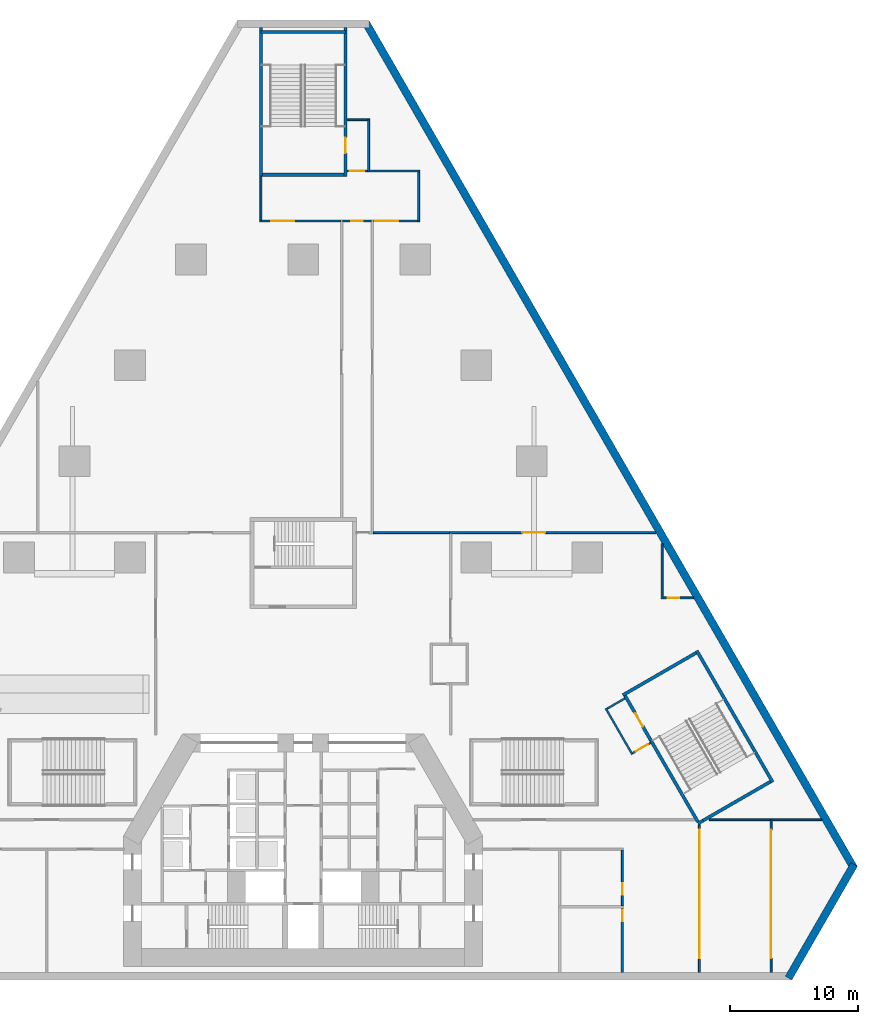
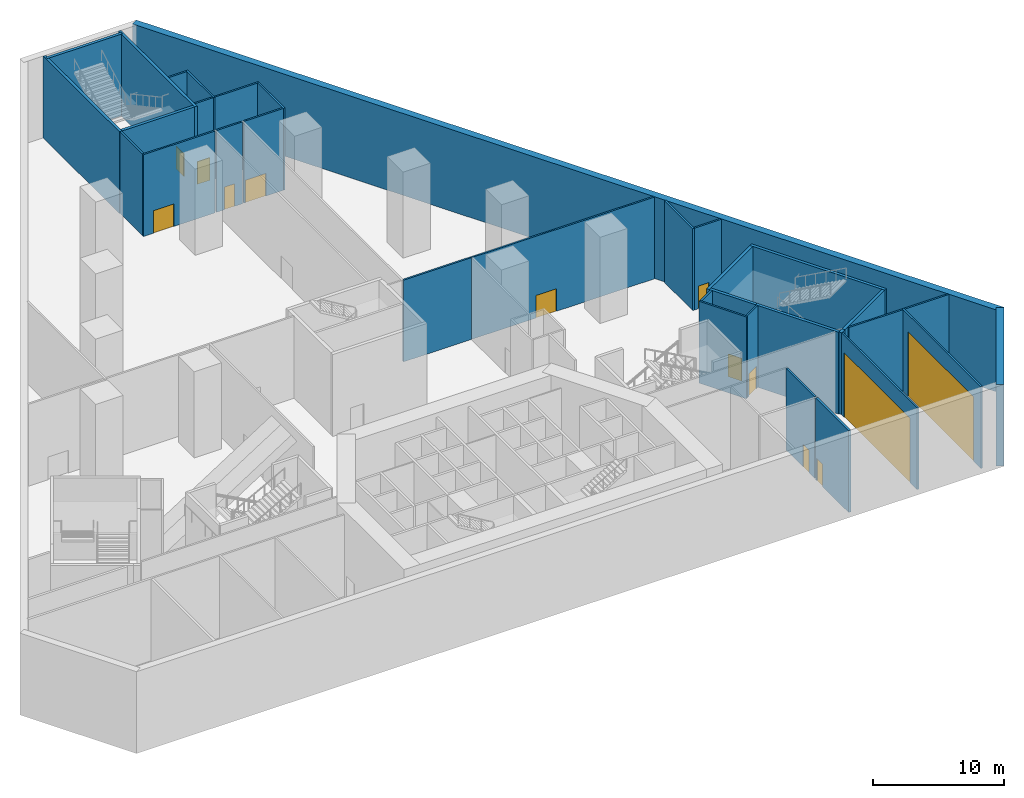
# One storey, part 6 of 11: 34 walls, 13 doors, 13 openings.
"""IFC4 building model written with IfcOpenShell, lengths in metres."""

from ifc_helpers import new_model, si_unit, direction, frame, frame_2d, origin, place, context, subcontext, project, spatial, rectangle, extrude, material, layer, layer_set, type_object, element, fill, save


model = new_model("IFC4")

# Units and contexts
model_context = context("Model", 3, precision=1e-05, world=origin(), true_north=direction((0.0, 1.0)))
body_context = subcontext(model_context, "Body", "Model", "MODEL_VIEW")
ifc_project = project(units=[si_unit("LENGTHUNIT", "METRE"), si_unit("AREAUNIT", "SQUARE_METRE"), si_unit("VOLUMEUNIT", "CUBIC_METRE"), si_unit("PLANEANGLEUNIT", "RADIAN"), si_unit("MASSUNIT", "GRAM", prefix="KILO")], contexts=[model_context])

# Site, building, storey
site_placement = place(None, origin())
site = spatial("IfcSite", under=ifc_project, at=site_placement, CompositionType="ELEMENT")
building_placement = place(site_placement, origin())
building = spatial("IfcBuilding", under=site, at=building_placement, Name="Fogline Exchange Tower", CompositionType="ELEMENT")
storey_placement = place(building_placement, frame((0.0, 0.0, -8.0)))
storey = spatial("IfcBuildingStorey", under=building, at=storey_placement, Name="B1", CompositionType="ELEMENT", Elevation=-8.0)

# Wall, opening, door
ifc_material_1 = material(Name="Plasterboard on steel stud", Category="steel")
ifc_layer_1 = layer(ifc_material_1, 0.14990234375)
ifc_layer_set_1 = layer_set([ifc_layer_1], Name="PP1")
wall_type_1 = type_object("IfcWallType", Name="PP1", PredefinedType="PARTITIONING", material=ifc_layer_set_1)
wall_1_placement = place(storey_placement, frame((24.89990234375, 5.60009765625, 0.0), z_axis=(0.0, 0.0, 1.0), x_axis=(0.0, 1.0, 0.0)))
wall_1 = element("IfcWall", 1, at=wall_1_placement, inside=storey, type_object=wall_type_1, Name="PP1 partition", PredefinedType="PARTITIONING", context=body_context, shape_type="SweptSolid", body=[
    extrude(rectangle(XDim=4.324951171875, YDim=0.14990234375, at=frame_2d((2.16259765625, 0.0))), origin(), (0.0, 0.0, 1.0), 7.60009765625),
])
opening_1_placement = place(wall_1_placement, frame((0.85009765625, 0.0, 0.0)))
opening_1 = element("IfcOpeningElement", 2, at=opening_1_placement, cuts=wall_1, Name="Opening B1-D011", PredefinedType="OPENING", context=body_context, shape_type="SweptSolid", body=[
    extrude(rectangle(XDim=0.89990234375, YDim=2.10009765625, at=frame_2d((0.449951171875, 1.050048828125))), frame((0.0, 0.0849609375, 0.0), z_axis=(0.0, -1.0, 0.0), x_axis=(1.0, 0.0, 0.0)), (0.0, 0.0, 1.0), 0.169921875),
])
ifc_material_2 = material(Name="Timber", Category="wood")
door_type_1 = type_object("IfcDoorType", Name="PD2", OperationType="SINGLE_SWING_LEFT", PredefinedType="DOOR", material=ifc_material_2)
door_1_placement = place(opening_1_placement, origin())
door_1 = element("IfcDoor", 3, at=door_1_placement, inside=storey, type_object=door_type_1, Name="B1-D011", OperationType="SINGLE_SWING_LEFT", OverallHeight=2.10009765625, OverallWidth=0.89990234375, PredefinedType="DOOR", context=body_context, shape_type="SweptSolid", body=[
    extrude(rectangle(XDim=0.89990234375, YDim=2.10009765625, at=frame_2d((0.449951171875, 1.050048828125))), frame((0.0, 0.02490234375, 0.0), z_axis=(0.0, -1.0, 0.0), x_axis=(1.0, 0.0, 0.0)), (0.0, 0.0, 1.0), 0.050048828125),
])
fill(opening_1, door_1)

wall_2_placement = place(storey_placement, frame((30.89990234375, 11.8974609375, 0.0), z_axis=(0.0, 0.0, 1.0), x_axis=(0.0, -1.0, 0.0)))
wall_2 = element("IfcWall", 4, at=wall_2_placement, inside=storey, type_object=wall_type_1, Name="PP1 partition", PredefinedType="PARTITIONING", context=body_context, shape_type="SweptSolid", body=[
    extrude(rectangle(XDim=11.49755859375, YDim=0.14990234375, at=frame_2d((5.748779296875, 0.0))), origin(), (0.0, 0.0, 1.0), 7.60009765625),
])
opening_2_placement = place(wall_2_placement, frame((0.3974609375, 0.0, 0.0)))
opening_2 = element("IfcOpeningElement", 5, at=opening_2_placement, cuts=wall_2, Name="Opening B1-D018", PredefinedType="OPENING", context=body_context, shape_type="SweptSolid", body=[
    extrude(rectangle(XDim=10.0, YDim=6.0, at=frame_2d((5.0, 3.0))), frame((0.0, 0.0849609375, 0.0), z_axis=(0.0, -1.0, 0.0), x_axis=(1.0, 0.0, 0.0)), (0.0, 0.0, 1.0), 0.169921875),
])
ifc_material_3 = material(Name="Steel Q235B", Category="steel")
door_type_2 = type_object("IfcDoorType", Name="PD10", OperationType="ROLLINGUP", PredefinedType="GATE", material=ifc_material_3)
door_2_placement = place(opening_2_placement, origin())
door_2 = element("IfcDoor", 6, at=door_2_placement, inside=storey, type_object=door_type_2, Name="B1-D018", OperationType="ROLLINGUP", OverallHeight=6.0, OverallWidth=10.0, PredefinedType="GATE", context=body_context, shape_type="SweptSolid", body=[
    extrude(rectangle(XDim=10.0, YDim=6.0, at=frame_2d((5.0, 3.0))), frame((0.0, 0.02490234375, 0.0), z_axis=(0.0, -1.0, 0.0), x_axis=(1.0, 0.0, 0.0)), (0.0, 0.0, 1.0), 0.050048828125),
])
fill(opening_2, door_2)

# Walls
wall_3_placement = place(storey_placement, frame((31.68408203125, 12.300048828125, 0.0), z_axis=(0.0, 0.0, 1.0), x_axis=(1.0, 0.0, 0.0)))
element("IfcWall", 7, at=wall_3_placement, inside=storey, type_object=wall_type_1, Name="PP1 partition", PredefinedType="PARTITIONING", context=body_context, shape_type="SweptSolid", body=[
    extrude(rectangle(XDim=4.740966796875, YDim=0.14990234375, at=frame_2d((2.37060546875, 0.0))), origin(), (0.0, 0.0, 1.0), 7.60009765625),
])
wall_4_placement = place(storey_placement, frame((36.574951171875, 12.300048828125, 0.0), z_axis=(0.0, 0.0, 1.0), x_axis=(1.0, 0.0, 0.0)))
element("IfcWall", 8, at=wall_4_placement, inside=storey, type_object=wall_type_1, Name="PP1 partition", PredefinedType="PARTITIONING", context=body_context, shape_type="SweptSolid", body=[
    extrude(rectangle(XDim=3.86181640625, YDim=0.14990234375, at=frame_2d((1.930908203125, 0.0))), origin(), (0.0, 0.0, 1.0), 7.60009765625),
])

# Wall, opening, door
wall_5_placement = place(storey_placement, frame((36.5, 12.375, 0.0), z_axis=(0.0, 0.0, 1.0), x_axis=(0.0, -1.0, 0.0)))
wall_5 = element("IfcWall", 9, at=wall_5_placement, inside=storey, type_object=wall_type_1, Name="PP1 partition", PredefinedType="PARTITIONING", context=body_context, shape_type="SweptSolid", body=[
    extrude(rectangle(XDim=11.97509765625, YDim=0.14990234375, at=frame_2d((5.987548828125, 0.0))), origin(), (0.0, 0.0, 1.0), 7.60009765625),
])
opening_3_placement = place(wall_5_placement, frame((0.875, 0.0, 0.0)))
opening_3 = element("IfcOpeningElement", 10, at=opening_3_placement, cuts=wall_5, Name="Opening B1-D019", PredefinedType="OPENING", context=body_context, shape_type="SweptSolid", body=[
    extrude(rectangle(XDim=10.0, YDim=6.0, at=frame_2d((5.0, 3.0))), frame((0.0, 0.0849609375, 0.0), z_axis=(0.0, -1.0, 0.0), x_axis=(1.0, 0.0, 0.0)), (0.0, 0.0, 1.0), 0.169921875),
])
door_3_placement = place(opening_3_placement, origin())
door_3 = element("IfcDoor", 11, at=door_3_placement, inside=storey, type_object=door_type_2, Name="B1-D019", OperationType="ROLLINGUP", OverallHeight=6.0, OverallWidth=10.0, PredefinedType="GATE", context=body_context, shape_type="SweptSolid", body=[
    extrude(rectangle(XDim=10.0, YDim=6.0, at=frame_2d((5.0, 3.0))), frame((0.0, 0.02490234375, 0.0), z_axis=(0.0, -1.0, 0.0), x_axis=(1.0, 0.0, 0.0)), (0.0, 0.0, 1.0), 0.050048828125),
])
fill(opening_3, door_3)

# Wall
wall_6_placement = place(storey_placement, frame((25.673095703125, 17.391845703125, 0.0), z_axis=(0.0, 0.0, 1.0), x_axis=(-0.499922756636, 0.866069995669, 0.0)))
element("IfcWall", 12, at=wall_6_placement, inside=storey, type_object=wall_type_1, Name="PP1 partition", PredefinedType="PARTITIONING", context=body_context, shape_type="SweptSolid", body=[
    extrude(rectangle(XDim=4.150146484375, YDim=0.14990234375, at=frame_2d((2.0751953125, 0.0))), origin(), (0.0, 0.0, 1.0), 7.60009765625),
])

# Wall, opening, door
wall_7_placement = place(storey_placement, frame((27.08642578125, 18.29443359375, 0.0), z_axis=(0.0, 0.0, 1.0), x_axis=(-0.866000135549, -0.500043763313, 0.0)))
wall_7 = element("IfcWall", 13, at=wall_7_placement, inside=storey, type_object=wall_type_1, Name="PP1 partition", PredefinedType="PARTITIONING", context=body_context, shape_type="SweptSolid", body=[
    extrude(rectangle(XDim=1.600341796875, YDim=0.14990234375, at=frame_2d((0.80029296875, 0.0))), origin(), (0.0, 0.0, 1.0), 7.60009765625),
])
opening_4_placement = place(wall_7_placement, frame((0.22509765625, 0.0, 0.0)))
opening_4 = element("IfcOpeningElement", 14, at=opening_4_placement, cuts=wall_7, Name="Opening B1-D007", PredefinedType="OPENING", context=body_context, shape_type="SweptSolid", body=[
    extrude(rectangle(XDim=1.10009765625, YDim=2.10009765625, at=frame_2d((0.550048828125, 1.050048828125))), frame((0.0, 0.0849609375, 0.0), z_axis=(0.0, -1.0, 0.0), x_axis=(1.0, 0.0, 0.0)), (0.0, 0.0, 1.0), 0.169921875),
])
door_type_3 = type_object("IfcDoorType", Name="PD5", OperationType="SINGLE_SWING_LEFT", PredefinedType="DOOR", material=ifc_material_3)
door_4_placement = place(opening_4_placement, origin())
door_4 = element("IfcDoor", 15, at=door_4_placement, inside=storey, type_object=door_type_3, Name="B1-D007", OperationType="SINGLE_SWING_LEFT", OverallHeight=2.10009765625, OverallWidth=1.10009765625, PredefinedType="DOOR", context=body_context, shape_type="SweptSolid", body=[
    extrude(rectangle(XDim=1.10009765625, YDim=2.10009765625, at=frame_2d((0.550048828125, 1.050048828125))), frame((0.0, 0.02490234375, 0.0), z_axis=(0.0, -1.0, 0.0), x_axis=(1.0, 0.0, 0.0)), (0.0, 0.0, 1.0), 0.050048828125),
])
fill(opening_4, door_4)

# Walls
wall_8_placement = place(storey_placement, frame((23.70068359375, 20.95849609375, 0.0), z_axis=(0.0, 0.0, 1.0), x_axis=(0.866066190972, 0.499929347863, 0.0)))
element("IfcWall", 16, at=wall_8_placement, inside=storey, type_object=wall_type_1, Name="PP1 partition", PredefinedType="PARTITIONING", context=body_context, shape_type="SweptSolid", body=[
    extrude(rectangle(XDim=1.600341796875, YDim=0.14990234375, at=frame_2d((0.80029296875, 0.0))), origin(), (0.0, 0.0, 1.0), 7.60009765625),
])
wall_9_placement = place(storey_placement, frame((28.0, 29.52490234375, 0.0), z_axis=(0.0, 0.0, 1.0), x_axis=(0.0, 1.0, 0.0)))
element("IfcWall", 17, at=wall_9_placement, inside=storey, type_object=wall_type_1, Name="PP1 partition", PredefinedType="PARTITIONING", context=body_context, shape_type="SweptSolid", body=[
    extrude(rectangle(XDim=4.316162109375, YDim=0.14990234375, at=frame_2d((2.158203125, 0.0))), origin(), (0.0, 0.0, 1.0), 7.60009765625),
])

# Wall, opening, door
wall_10_placement = place(storey_placement, frame((30.448486328125, 29.60009765625, 0.0), z_axis=(0.0, 0.0, 1.0), x_axis=(-1.0, 0.0, 0.0)))
wall_10 = element("IfcWall", 18, at=wall_10_placement, inside=storey, type_object=wall_type_1, Name="PP1 partition", PredefinedType="PARTITIONING", context=body_context, shape_type="SweptSolid", body=[
    extrude(rectangle(XDim=2.37353515625, YDim=0.14990234375, at=frame_2d((1.186767578125, 0.0))), origin(), (0.0, 0.0, 1.0), 7.60009765625),
])
opening_5_placement = place(wall_10_placement, frame((1.0986328125, 0.0, 0.0)))
opening_5 = element("IfcOpeningElement", 19, at=opening_5_placement, cuts=wall_10, Name="Opening B1-D024", PredefinedType="OPENING", context=body_context, shape_type="SweptSolid", body=[
    extrude(rectangle(XDim=0.89990234375, YDim=2.10009765625, at=frame_2d((0.449951171875, 1.050048828125))), frame((0.0, 0.0849609375, 0.0), z_axis=(0.0, -1.0, 0.0), x_axis=(1.0, 0.0, 0.0)), (0.0, 0.0, 1.0), 0.169921875),
])
door_5_placement = place(opening_5_placement, frame((0.89990234375, 0.0, 0.0), z_axis=(0.0, 0.0, 1.0), x_axis=(-1.0, 0.0, 0.0)))
door_5 = element("IfcDoor", 20, at=door_5_placement, inside=storey, type_object=door_type_1, Name="B1-D024", OperationType="SINGLE_SWING_LEFT", OverallHeight=2.10009765625, OverallWidth=0.89990234375, PredefinedType="DOOR", context=body_context, shape_type="SweptSolid", body=[
    extrude(rectangle(XDim=0.89990234375, YDim=2.10009765625, at=frame_2d((0.449951171875, 1.050048828125))), frame((0.0, 0.02490234375, 0.0), z_axis=(0.0, -1.0, 0.0), x_axis=(1.0, 0.0, 0.0)), (0.0, 0.0, 1.0), 0.050048828125),
])
fill(opening_5, door_5)

# Wall
wall_11_placement = place(storey_placement, frame((11.425048828125, 34.699951171875, 0.0), z_axis=(0.0, 0.0, 1.0), x_axis=(-1.0, 0.0, 0.0)))
element("IfcWall", 21, at=wall_11_placement, inside=storey, type_object=wall_type_1, Name="PP1 partition", PredefinedType="PARTITIONING", context=body_context, shape_type="SweptSolid", body=[
    extrude(rectangle(XDim=5.949951171875, YDim=0.14990234375, at=frame_2d((2.97509765625, 0.0))), origin(), (0.0, 0.0, 1.0), 7.60009765625),
])

# Wall, opening, door
wall_12_placement = place(storey_placement, frame((27.504150390625, 34.699951171875, 0.0), z_axis=(0.0, 0.0, 1.0), x_axis=(-1.0, 0.0, 0.0)))
wall_12 = element("IfcWall", 22, at=wall_12_placement, inside=storey, type_object=wall_type_1, Name="PP1 partition", PredefinedType="PARTITIONING", context=body_context, shape_type="SweptSolid", body=[
    extrude(rectangle(XDim=16.0791015625, YDim=0.14990234375, at=frame_2d((8.03955078125, 0.0))), origin(), (0.0, 0.0, 1.0), 7.60009765625),
])
opening_6_placement = place(wall_12_placement, frame((8.60400390625, 0.0, 0.0)))
opening_6 = element("IfcOpeningElement", 23, at=opening_6_placement, cuts=wall_12, Name="Opening B1-D023", PredefinedType="OPENING", context=body_context, shape_type="SweptSolid", body=[
    extrude(rectangle(XDim=1.800048828125, YDim=2.10009765625, at=frame_2d((0.89990234375, 1.050048828125))), frame((0.0, 0.0849609375, 0.0), z_axis=(0.0, -1.0, 0.0), x_axis=(1.0, 0.0, 0.0)), (0.0, 0.0, 1.0), 0.169921875),
])
door_type_4 = type_object("IfcDoorType", Name="PD3", OperationType="DOUBLE_DOOR_SINGLE_SWING", PredefinedType="DOOR", material=ifc_material_2)
door_6_placement = place(opening_6_placement, frame((1.800048828125, 0.0, 0.0), z_axis=(0.0, 0.0, 1.0), x_axis=(-1.0, 0.0, 0.0)))
door_6 = element("IfcDoor", 24, at=door_6_placement, inside=storey, type_object=door_type_4, Name="B1-D023", OperationType="DOUBLE_DOOR_SINGLE_SWING", OverallHeight=2.10009765625, OverallWidth=1.800048828125, PredefinedType="DOOR", context=body_context, shape_type="SweptSolid", body=[
    extrude(rectangle(XDim=1.800048828125, YDim=2.10009765625, at=frame_2d((0.89990234375, 1.050048828125))), frame((0.0, 0.02490234375, 0.0), z_axis=(0.0, -1.0, 0.0), x_axis=(1.0, 0.0, 0.0)), (0.0, 0.0, 1.0), 0.050048828125),
])
fill(opening_6, door_6)

wall_13_placement = place(storey_placement, frame((2.925048828125, 59.0, 0.0), z_axis=(0.0, 0.0, 1.0), x_axis=(-1.0, 0.0, 0.0)))
wall_13 = element("IfcWall", 25, at=wall_13_placement, inside=storey, type_object=wall_type_1, Name="PP1 partition", PredefinedType="PARTITIONING", context=body_context, shape_type="SweptSolid", body=[
    extrude(rectangle(XDim=6.300048828125, YDim=0.14990234375, at=frame_2d((3.14990234375, 0.0))), origin(), (0.0, 0.0, 1.0), 7.60009765625),
])
opening_7_placement = place(wall_13_placement, frame((3.625, 0.0, 0.0)))
opening_7 = element("IfcOpeningElement", 26, at=opening_7_placement, cuts=wall_13, Name="Opening B1-D030", PredefinedType="OPENING", context=body_context, shape_type="SweptSolid", body=[
    extrude(rectangle(XDim=1.800048828125, YDim=2.10009765625, at=frame_2d((0.89990234375, 1.050048828125))), frame((0.0, 0.0849609375, 0.0), z_axis=(0.0, -1.0, 0.0), x_axis=(1.0, 0.0, 0.0)), (0.0, 0.0, 1.0), 0.169921875),
])
door_7_placement = place(opening_7_placement, origin())
door_7 = element("IfcDoor", 27, at=door_7_placement, inside=storey, type_object=door_type_4, Name="B1-D030", OperationType="DOUBLE_DOOR_SINGLE_SWING", OverallHeight=2.10009765625, OverallWidth=1.800048828125, PredefinedType="DOOR", context=body_context, shape_type="SweptSolid", body=[
    extrude(rectangle(XDim=1.800048828125, YDim=2.10009765625, at=frame_2d((0.89990234375, 1.050048828125))), frame((0.0, 0.02490234375, 0.0), z_axis=(0.0, -1.0, 0.0), x_axis=(1.0, 0.0, 0.0)), (0.0, 0.0, 1.0), 0.050048828125),
])
fill(opening_7, door_7)

wall_14_placement = place(storey_placement, frame((5.324951171875, 59.0, 0.0), z_axis=(0.0, 0.0, 1.0), x_axis=(-1.0, 0.0, 0.0)))
wall_14 = element("IfcWall", 28, at=wall_14_placement, inside=storey, type_object=wall_type_1, Name="PP1 partition", PredefinedType="PARTITIONING", context=body_context, shape_type="SweptSolid", body=[
    extrude(rectangle(XDim=2.25, YDim=0.14990234375, at=frame_2d((1.125, 0.0))), origin(), (0.0, 0.0, 1.0), 7.60009765625),
])
opening_8_placement = place(wall_14_placement, frame((0.675048828125, 0.0, 0.0)))
opening_8 = element("IfcOpeningElement", 29, at=opening_8_placement, cuts=wall_14, Name="Opening B1-D027", PredefinedType="OPENING", context=body_context, shape_type="SweptSolid", body=[
    extrude(rectangle(XDim=0.89990234375, YDim=2.10009765625, at=frame_2d((0.449951171875, 1.050048828125))), frame((0.0, 0.0849609375, 0.0), z_axis=(0.0, -1.0, 0.0), x_axis=(1.0, 0.0, 0.0)), (0.0, 0.0, 1.0), 0.169921875),
])
door_8_placement = place(opening_8_placement, frame((0.89990234375, 0.0, 0.0), z_axis=(0.0, 0.0, 1.0), x_axis=(-1.0, 0.0, 0.0)))
door_8 = element("IfcDoor", 30, at=door_8_placement, inside=storey, type_object=door_type_1, Name="B1-D027", OperationType="SINGLE_SWING_LEFT", OverallHeight=2.10009765625, OverallWidth=0.89990234375, PredefinedType="DOOR", context=body_context, shape_type="SweptSolid", body=[
    extrude(rectangle(XDim=0.89990234375, YDim=2.10009765625, at=frame_2d((0.449951171875, 1.050048828125))), frame((0.0, 0.02490234375, 0.0), z_axis=(0.0, -1.0, 0.0), x_axis=(1.0, 0.0, 0.0)), (0.0, 0.0, 1.0), 0.050048828125),
])
fill(opening_8, door_8)

wall_15_placement = place(storey_placement, frame((8.925048828125, 59.0, 0.0), z_axis=(0.0, 0.0, 1.0), x_axis=(-1.0, 0.0, 0.0)))
wall_15 = element("IfcWall", 31, at=wall_15_placement, inside=storey, type_object=wall_type_1, Name="PP1 partition", PredefinedType="PARTITIONING", context=body_context, shape_type="SweptSolid", body=[
    extrude(rectangle(XDim=3.449951171875, YDim=0.14990234375, at=frame_2d((1.72509765625, 0.0))), origin(), (0.0, 0.0, 1.0), 7.60009765625),
])
opening_9_placement = place(wall_15_placement, frame((1.52490234375, 0.0, 0.0)))
opening_9 = element("IfcOpeningElement", 32, at=opening_9_placement, cuts=wall_15, Name="Opening B1-D031", PredefinedType="OPENING", context=body_context, shape_type="SweptSolid", body=[
    extrude(rectangle(XDim=1.800048828125, YDim=2.10009765625, at=frame_2d((0.89990234375, 1.050048828125))), frame((0.0, 0.0849609375, 0.0), z_axis=(0.0, -1.0, 0.0), x_axis=(1.0, 0.0, 0.0)), (0.0, 0.0, 1.0), 0.169921875),
])
door_9_placement = place(opening_9_placement, origin())
door_9 = element("IfcDoor", 33, at=door_9_placement, inside=storey, type_object=door_type_4, Name="B1-D031", OperationType="DOUBLE_DOOR_SINGLE_SWING", OverallHeight=2.10009765625, OverallWidth=1.800048828125, PredefinedType="DOOR", context=body_context, shape_type="SweptSolid", body=[
    extrude(rectangle(XDim=1.800048828125, YDim=2.10009765625, at=frame_2d((0.89990234375, 1.050048828125))), frame((0.0, 0.02490234375, 0.0), z_axis=(0.0, -1.0, 0.0), x_axis=(1.0, 0.0, 0.0)), (0.0, 0.0, 1.0), 0.050048828125),
])
fill(opening_9, door_9)

# Walls
wall_16_placement = place(storey_placement, frame((-3.300048828125, 59.074951171875, 0.0), z_axis=(0.0, 0.0, 1.0), x_axis=(0.0, 1.0, 0.0)))
element("IfcWall", 34, at=wall_16_placement, inside=storey, type_object=wall_type_1, Name="PP1 partition", PredefinedType="PARTITIONING", context=body_context, shape_type="SweptSolid", body=[
    extrude(rectangle(XDim=3.400146484375, YDim=0.14990234375, at=frame_2d((1.7001953125, 0.0))), origin(), (0.0, 0.0, 1.0), 7.60009765625),
])
wall_17_placement = place(storey_placement, frame((9.0, 62.824951171875, 0.0), z_axis=(0.0, 0.0, 1.0), x_axis=(0.0, -1.0, 0.0)))
element("IfcWall", 35, at=wall_17_placement, inside=storey, type_object=wall_type_1, Name="PP1 partition", PredefinedType="PARTITIONING", context=body_context, shape_type="SweptSolid", body=[
    extrude(rectangle(XDim=3.89990234375, YDim=0.14990234375, at=frame_2d((1.949951171875, 0.0))), origin(), (0.0, 0.0, 1.0), 7.60009765625),
])

# Wall, opening, door
wall_18_placement = place(storey_placement, frame((5.02490234375, 62.89990234375, 0.0), z_axis=(0.0, 0.0, 1.0), x_axis=(-1.0, 0.0, 0.0)))
wall_18 = element("IfcWall", 36, at=wall_18_placement, inside=storey, type_object=wall_type_1, Name="PP1 partition", PredefinedType="PARTITIONING", context=body_context, shape_type="SweptSolid", body=[
    extrude(rectangle(XDim=1.599853515625, YDim=0.14990234375, at=frame_2d((0.7998046875, 0.0))), origin(), (0.0, 0.0, 1.0), 7.60009765625),
])
opening_10_placement = place(wall_18_placement, frame((0.27490234375, 0.0, 0.0)))
opening_10 = element("IfcOpeningElement", 37, at=opening_10_placement, cuts=wall_18, Name="Opening B1-D025", PredefinedType="OPENING", context=body_context, shape_type="SweptSolid", body=[
    extrude(rectangle(XDim=1.10009765625, YDim=2.10009765625, at=frame_2d((0.550048828125, 1.050048828125))), frame((0.0, 0.0849609375, 0.0), z_axis=(0.0, -1.0, 0.0), x_axis=(1.0, 0.0, 0.0)), (0.0, 0.0, 1.0), 0.169921875),
])
door_10_placement = place(opening_10_placement, origin())
door_10 = element("IfcDoor", 38, at=door_10_placement, inside=storey, type_object=door_type_3, Name="B1-D025", OperationType="SINGLE_SWING_RIGHT", OverallHeight=2.10009765625, OverallWidth=1.10009765625, PredefinedType="DOOR", context=body_context, shape_type="SweptSolid", body=[
    extrude(rectangle(XDim=1.10009765625, YDim=2.10009765625, at=frame_2d((0.550048828125, 1.050048828125))), frame((0.0, 0.02490234375, 0.0), z_axis=(0.0, -1.0, 0.0), x_axis=(1.0, 0.0, 0.0)), (0.0, 0.0, 1.0), 0.050048828125),
])
fill(opening_10, door_10)

# Walls
wall_19_placement = place(storey_placement, frame((5.175048828125, 62.89990234375, 0.0), z_axis=(0.0, 0.0, 1.0), x_axis=(1.0, 0.0, 0.0)))
element("IfcWall", 39, at=wall_19_placement, inside=storey, type_object=wall_type_1, Name="PP1 partition", PredefinedType="PARTITIONING", context=body_context, shape_type="SweptSolid", body=[
    extrude(rectangle(XDim=3.89990234375, YDim=0.14990234375, at=frame_2d((1.949951171875, 0.0))), origin(), (0.0, 0.0, 1.0), 7.60009765625),
])
wall_20_placement = place(storey_placement, frame((3.425048828125, 66.89990234375, 0.0), z_axis=(0.0, 0.0, 1.0), x_axis=(1.0, 0.0, 0.0)))
element("IfcWall", 40, at=wall_20_placement, inside=storey, type_object=wall_type_1, Name="PP1 partition", PredefinedType="PARTITIONING", context=body_context, shape_type="SweptSolid", body=[
    extrude(rectangle(XDim=1.599853515625, YDim=0.14990234375, at=frame_2d((0.7998046875, 0.0))), origin(), (0.0, 0.0, 1.0), 7.60009765625),
])
wall_21_placement = place(storey_placement, frame((5.10009765625, 66.97509765625, 0.0), z_axis=(0.0, 0.0, 1.0), x_axis=(0.0, -1.0, 0.0)))
element("IfcWall", 41, at=wall_21_placement, inside=storey, type_object=wall_type_1, Name="PP1 partition", PredefinedType="PARTITIONING", context=body_context, shape_type="SweptSolid", body=[
    extrude(rectangle(XDim=4.150146484375, YDim=0.14990234375, at=frame_2d((2.0751953125, 0.0))), origin(), (0.0, 0.0, 1.0), 7.60009765625),
])

# Wall, opening, door
ifc_material_4 = material(Name="Concrete block masonry", Category="masonry")
ifc_layer_2 = layer(ifc_material_4, 0.199951171875)
ifc_layer_set_2 = layer_set([ifc_layer_2], Name="PP2")
wall_type_2 = type_object("IfcWallType", Name="PP2", PredefinedType="PARTITIONING", material=ifc_layer_set_2)
wall_22_placement = place(storey_placement, frame((24.89990234375, 0.39990234375, 0.0), z_axis=(0.0, 0.0, 1.0), x_axis=(0.0, 1.0, 0.0)))
wall_22 = element("IfcWall", 42, at=wall_22_placement, inside=storey, type_object=wall_type_2, Name="PP2 partition", PredefinedType="PARTITIONING", context=body_context, shape_type="SweptSolid", body=[
    extrude(rectangle(XDim=5.0, YDim=0.199951171875, at=frame_2d((2.5, 0.0))), origin(), (0.0, 0.0, 1.0), 7.60009765625),
])
opening_11_placement = place(wall_22_placement, frame((3.97998046875, 0.0, 0.0)))
opening_11 = element("IfcOpeningElement", 43, at=opening_11_placement, cuts=wall_22, Name="Opening B1-D012", PredefinedType="OPENING", context=body_context, shape_type="SweptSolid", body=[
    extrude(rectangle(XDim=0.89990234375, YDim=2.10009765625, at=frame_2d((0.449951171875, 1.050048828125))), frame((0.0, 0.10986328125, 0.0), z_axis=(0.0, -1.0, 0.0), x_axis=(1.0, 0.0, 0.0)), (0.0, 0.0, 1.0), 0.219970703125),
])
door_11_placement = place(opening_11_placement, origin())
door_11 = element("IfcDoor", 44, at=door_11_placement, inside=storey, type_object=door_type_1, Name="B1-D012", OperationType="SINGLE_SWING_RIGHT", OverallHeight=2.10009765625, OverallWidth=0.89990234375, PredefinedType="DOOR", context=body_context, shape_type="SweptSolid", body=[
    extrude(rectangle(XDim=0.89990234375, YDim=2.10009765625, at=frame_2d((0.449951171875, 1.050048828125))), frame((0.0, 0.02490234375, 0.0), z_axis=(0.0, -1.0, 0.0), x_axis=(1.0, 0.0, 0.0)), (0.0, 0.0, 1.0), 0.050048828125),
])
fill(opening_11, door_11)

# Walls
ifc_material_5 = material(Name="Concrete C40", Category="concrete")
ifc_layer_3 = layer(ifc_material_5, 0.25)
ifc_layer_set_3 = layer_set([ifc_layer_3], Name="PP3")
wall_type_3 = type_object("IfcWallType", Name="PP3", PredefinedType="SOLIDWALL", material=ifc_layer_set_3)
wall_23_placement = place(storey_placement, frame((30.78173828125, 12.143310546875, 0.0), z_axis=(0.0, 0.0, 1.0), x_axis=(-0.499977226672, 0.866038551572, 0.0)))
element("IfcWall", 45, at=wall_23_placement, inside=storey, type_object=wall_type_3, Name="PP3 bearing wall", PredefinedType="SOLIDWALL", context=body_context, shape_type="SweptSolid", body=[
    extrude(rectangle(XDim=7.299560546875, YDim=0.25, at=frame_2d((3.64990234375, 0.0))), origin(), (0.0, 0.0, 1.0), 7.60009765625),
])
wall_24_placement = place(storey_placement, frame((31.195556640625, 12.237548828125, 0.0), z_axis=(0.0, 0.0, 1.0), x_axis=(-0.866011198387, -0.500024603663, 0.0)))
element("IfcWall", 46, at=wall_24_placement, inside=storey, type_object=wall_type_3, Name="PP3 bearing wall", PredefinedType="SOLIDWALL", context=body_context, shape_type="SweptSolid", body=[
    extrude(rectangle(XDim=0.46630859375, YDim=0.25, at=frame_2d((0.233154296875, 0.0))), origin(), (0.0, 0.0, 1.0), 7.60009765625),
])
wall_25_placement = place(storey_placement, frame((36.452392578125, 15.2724609375, 0.0), z_axis=(0.0, 0.0, 1.0), x_axis=(-0.866034216138, -0.499984736245, 0.0)))
element("IfcWall", 47, at=wall_25_placement, inside=storey, type_object=wall_type_3, Name="PP3 bearing wall", PredefinedType="SOLIDWALL", context=body_context, shape_type="SweptSolid", body=[
    extrude(rectangle(XDim=6.070068359375, YDim=0.25, at=frame_2d((3.03515625, 0.0))), origin(), (0.0, 0.0, 1.0), 7.60009765625),
])

# Wall, opening, door
wall_26_placement = place(storey_placement, frame((27.132080078125, 18.465087890625, 0.0), z_axis=(0.0, 0.0, 1.0), x_axis=(-0.499990325971, 0.866030989016, 0.0)))
wall_26 = element("IfcWall", 48, at=wall_26_placement, inside=storey, type_object=wall_type_3, Name="PP3 bearing wall", PredefinedType="SOLIDWALL", context=body_context, shape_type="SweptSolid", body=[
    extrude(rectangle(XDim=4.0498046875, YDim=0.25, at=frame_2d((2.02490234375, 0.0))), origin(), (0.0, 0.0, 1.0), 7.60009765625),
])
opening_12_placement = place(wall_26_placement, frame((1.27490234375, 0.0, 0.0)))
opening_12 = element("IfcOpeningElement", 49, at=opening_12_placement, cuts=wall_26, Name="Opening B1-D006", PredefinedType="OPENING", context=body_context, shape_type="SweptSolid", body=[
    extrude(rectangle(XDim=1.199951171875, YDim=2.10009765625, at=frame_2d((0.60009765625, 1.050048828125))), frame((0.0, 0.135009765625, 0.0), z_axis=(0.0, -1.0, 0.0), x_axis=(1.0, 0.0, 0.0)), (0.0, 0.0, 1.0), 0.27001953125),
])
door_type_5 = type_object("IfcDoorType", Name="PD7", OperationType="SINGLE_SWING_LEFT", PredefinedType="DOOR", material=ifc_material_3)
door_12_placement = place(opening_12_placement, origin())
door_12 = element("IfcDoor", 50, at=door_12_placement, inside=storey, type_object=door_type_5, Name="B1-D006", OperationType="SINGLE_SWING_LEFT", OverallHeight=2.10009765625, OverallWidth=1.199951171875, PredefinedType="DOOR", context=body_context, shape_type="SweptSolid", body=[
    extrude(rectangle(XDim=1.199951171875, YDim=2.10009765625, at=frame_2d((0.60009765625, 1.050048828125))), frame((0.0, 0.02490234375, 0.0), z_axis=(0.0, -1.0, 0.0), x_axis=(1.0, 0.0, 0.0)), (0.0, 0.0, 1.0), 0.050048828125),
])
fill(opening_12, door_12)

# Walls
wall_27_placement = place(storey_placement, frame((24.936279296875, 22.018310546875, 0.0), z_axis=(0.0, 0.0, 1.0), x_axis=(0.866040211805, 0.499974350878, 0.0)))
element("IfcWall", 51, at=wall_27_placement, inside=storey, type_object=wall_type_3, Name="PP3 bearing wall", PredefinedType="SOLIDWALL", context=body_context, shape_type="SweptSolid", body=[
    extrude(rectangle(XDim=6.599853515625, YDim=0.25, at=frame_2d((3.2998046875, 0.0))), origin(), (0.0, 0.0, 1.0), 7.60009765625),
])
wall_28_placement = place(storey_placement, frame((30.697998046875, 25.489013671875, 0.0), z_axis=(0.0, 0.0, 1.0), x_axis=(0.499976885332, -0.866038748633, 0.0)))
element("IfcWall", 52, at=wall_28_placement, inside=storey, type_object=wall_type_3, Name="PP3 bearing wall", PredefinedType="SOLIDWALL", context=body_context, shape_type="SweptSolid", body=[
    extrude(rectangle(XDim=11.85009765625, YDim=0.25, at=frame_2d((5.925048828125, 0.0))), origin(), (0.0, 0.0, 1.0), 7.60009765625),
])
wall_29_placement = place(storey_placement, frame((-3.300048828125, 62.47509765625, 0.0), z_axis=(0.0, 0.0, 1.0), x_axis=(0.0, 1.0, 0.0)))
element("IfcWall", 53, at=wall_29_placement, inside=storey, type_object=wall_type_3, Name="PP3 bearing wall", PredefinedType="SOLIDWALL", context=body_context, shape_type="SweptSolid", body=[
    extrude(rectangle(XDim=11.60302734375, YDim=0.25, at=frame_2d((5.801513671875, 0.0))), origin(), (0.0, 0.0, 1.0), 7.60009765625),
])
wall_30_placement = place(storey_placement, frame((3.175048828125, 62.60009765625, 0.0), z_axis=(0.0, 0.0, 1.0), x_axis=(-1.0, 0.0, 0.0)))
element("IfcWall", 54, at=wall_30_placement, inside=storey, type_object=wall_type_3, Name="PP3 bearing wall", PredefinedType="SOLIDWALL", context=body_context, shape_type="SweptSolid", body=[
    extrude(rectangle(XDim=6.35009765625, YDim=0.25, at=frame_2d((3.175048828125, 0.0))), origin(), (0.0, 0.0, 1.0), 7.60009765625),
])

# Wall, opening, door
wall_31_placement = place(storey_placement, frame((3.300048828125, 74.078125, 0.0), z_axis=(0.0, 0.0, 1.0), x_axis=(0.0, -1.0, 0.0)))
wall_31 = element("IfcWall", 55, at=wall_31_placement, inside=storey, type_object=wall_type_3, Name="PP3 bearing wall", PredefinedType="SOLIDWALL", context=body_context, shape_type="SweptSolid", body=[
    extrude(rectangle(XDim=11.60302734375, YDim=0.25, at=frame_2d((5.801513671875, 0.0))), origin(), (0.0, 0.0, 1.0), 7.60009765625),
])
opening_13_placement = place(wall_31_placement, frame((8.578125, 0.0, 0.0)))
opening_13 = element("IfcOpeningElement", 56, at=opening_13_placement, cuts=wall_31, Name="Opening B1-D001", PredefinedType="OPENING", context=body_context, shape_type="SweptSolid", body=[
    extrude(rectangle(XDim=1.199951171875, YDim=2.10009765625, at=frame_2d((0.60009765625, 1.050048828125))), frame((0.0, 0.135009765625, 0.0), z_axis=(0.0, -1.0, 0.0), x_axis=(1.0, 0.0, 0.0)), (0.0, 0.0, 1.0), 0.27001953125),
])
door_13_placement = place(opening_13_placement, origin())
door_13 = element("IfcDoor", 57, at=door_13_placement, inside=storey, type_object=door_type_5, Name="B1-D001", OperationType="SINGLE_SWING_LEFT", OverallHeight=2.10009765625, OverallWidth=1.199951171875, PredefinedType="DOOR", context=body_context, shape_type="SweptSolid", body=[
    extrude(rectangle(XDim=1.199951171875, YDim=2.10009765625, at=frame_2d((0.60009765625, 1.050048828125))), frame((0.0, 0.02490234375, 0.0), z_axis=(0.0, -1.0, 0.0), x_axis=(1.0, 0.0, 0.0)), (0.0, 0.0, 1.0), 0.050048828125),
])
fill(opening_13, door_13)

# Walls
ifc_layer_4 = layer(ifc_material_5, 0.25)
ifc_layer_set_4 = layer_set([ifc_layer_4], Name="PP6")
wall_type_4 = type_object("IfcWallType", Name="PP6", PredefinedType="SOLIDWALL", material=ifc_layer_set_4)
wall_32_placement = place(storey_placement, frame((-3.300048828125, 73.75, 0.0), z_axis=(0.0, 0.0, 1.0), x_axis=(1.0, 0.0, 0.0)))
element("IfcWall", 58, at=wall_32_placement, inside=storey, type_object=wall_type_4, Name="PP6 bearing wall", PredefinedType="SOLIDWALL", context=body_context, shape_type="SweptSolid", body=[
    extrude(rectangle(XDim=6.60009765625, YDim=0.25, at=frame_2d((3.300048828125, 0.0))), origin(), (0.0, 0.0, 1.0), 7.60009765625),
])
ifc_layer_5 = layer(ifc_material_5, 0.60009765625)
ifc_layer_set_5 = layer_set([ifc_layer_5], Name="RW01")
wall_type_5 = type_object("IfcWallType", Name="RW01", PredefinedType="SOLIDWALL", material=ifc_layer_set_5)
wall_33_placement = place(storey_placement, frame((37.855712890625, -0.050048828125, 0.0), z_axis=(0.0, 0.0, 1.0), x_axis=(0.499996492717, 0.866027428706, 0.0)))
element("IfcWall", 59, at=wall_33_placement, inside=storey, type_object=wall_type_5, Name="B1-W903", PredefinedType="SOLIDWALL", context=body_context, shape_type="SweptSolid", body=[
    extrude(rectangle(XDim=10.23095703125, YDim=0.60009765625, at=frame_2d((5.115478515625, 0.0))), origin(), (0.0, 0.0, 1.0), 7.60009765625),
])
wall_34_placement = place(storey_placement, frame((42.97119140625, 8.51025390625, 0.0), z_axis=(0.0, 0.0, 1.0), x_axis=(-0.499999312333, 0.866025800809, 0.0)))
element("IfcWall", 60, at=wall_34_placement, inside=storey, type_object=wall_type_5, Name="B1-W904", PredefinedType="SOLIDWALL", context=body_context, shape_type="SweptSolid", body=[
    extrude(rectangle(XDim=76.23095703125, YDim=0.60009765625, at=frame_2d((38.115478515625, 0.0))), origin(), (0.0, 0.0, 1.0), 7.60009765625),
])

save(model, "model.ifc")
